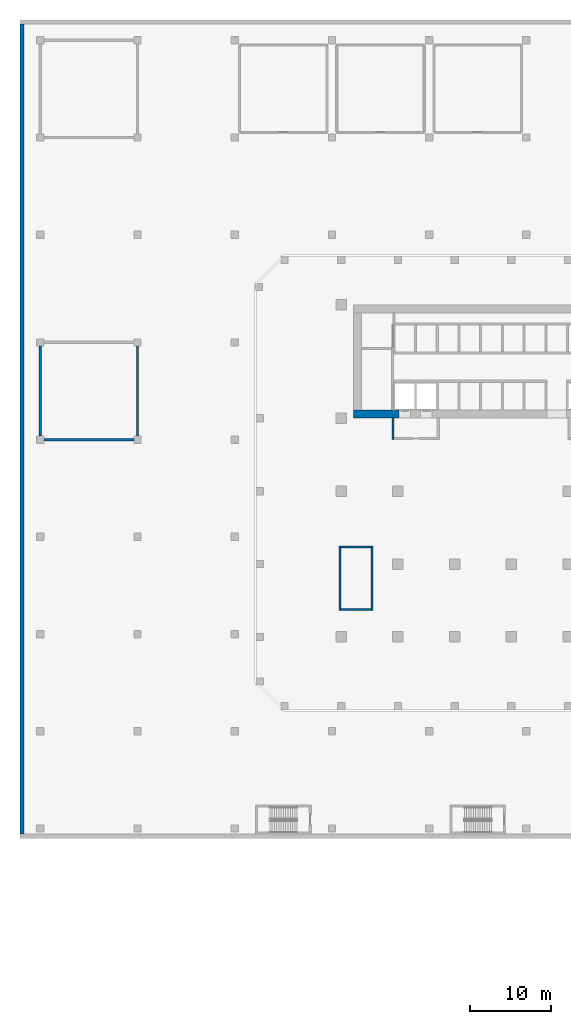
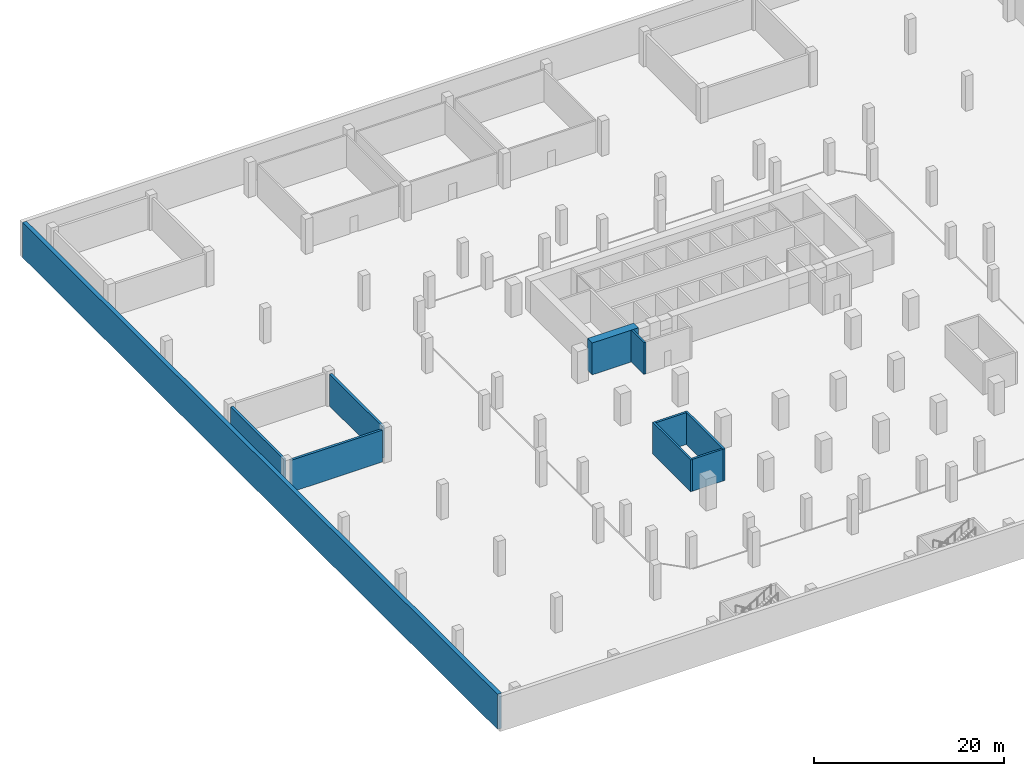
# One storey, part 3 of 11: 10 walls.
"""IFC4 building model written with IfcOpenShell, lengths in metres."""

from ifc_helpers import new_model, si_unit, direction, frame, frame_2d, origin, place, context, subcontext, project, spatial, rectangle, extrude, source, transform, mapped, material, layer, layer_set, type_object, element, save


model = new_model("IFC4")

# Units and contexts
model_context = context("Model", 3, precision=1e-05, world=origin(), true_north=direction((0.0, 1.0)))
body_context = subcontext(model_context, "Body", "Model", "MODEL_VIEW")
ifc_project = project(units=[si_unit("LENGTHUNIT", "METRE"), si_unit("AREAUNIT", "SQUARE_METRE"), si_unit("VOLUMEUNIT", "CUBIC_METRE"), si_unit("PLANEANGLEUNIT", "RADIAN"), si_unit("MASSUNIT", "GRAM", prefix="KILO")], contexts=[model_context])

# Site, building, storey
site_placement = place(None, origin())
site = spatial("IfcSite", under=ifc_project, at=site_placement, CompositionType="ELEMENT")
building_placement = place(site_placement, origin())
building = spatial("IfcBuilding", under=site, at=building_placement, Name="Kilnfold Tower and Market Hall", CompositionType="ELEMENT")
storey_placement = place(building_placement, frame((0.0, 0.0, -4.5)))
storey = spatial("IfcBuildingStorey", under=building, at=storey_placement, Name="B1", CompositionType="ELEMENT", Elevation=-4.5)

# Walls
ifc_material_1 = material(Name="Concrete C80", Category="concrete")
ifc_layer_1 = layer(ifc_material_1, 1.0)
ifc_layer_set_1 = layer_set([ifc_layer_1], Name="Concrete C80")
wall_type_1 = type_object("IfcWallType", Name="CORE WALL 1000 C80", PredefinedType="SHEAR", material=ifc_layer_set_1)
shared_shape_1 = source(origin(), body_context, "Body", "SweptSolid", [
    extrude(rectangle(XDim=5.6298828125, YDim=1.0, at=frame_2d((2.81494140625, 0.0))), origin(), (0.0, 0.0, 1.0), 4.090087890625),
])
wall_1_placement = place(storey_placement, frame((-16.0, 8.5, 0.0), z_axis=(0.0, 0.0, 1.0), x_axis=(1.0, 0.0, 0.0)))
element("IfcWall", 1, at=wall_1_placement, inside=storey, type_object=wall_type_1, Name="Core outer wall south", PredefinedType="SHEAR", context=body_context, shape_type="MappedRepresentation", body=[
    mapped(shared_shape_1, transform((0.0, 0.0, 0.0))),
])
ifc_material_2 = material(Name="Concrete C80", Category="concrete")
ifc_layer_2 = layer(ifc_material_2, 0.25)
ifc_layer_set_2 = layer_set([ifc_layer_2], Name="Concrete C80")
wall_type_2 = type_object("IfcWallType", Name="CORE WALL 250 C80", PredefinedType="SHEAR", material=ifc_layer_set_2)
shared_shape_2 = source(origin(), body_context, "Body", "SweptSolid", [
    extrude(rectangle(XDim=3.699951171875, YDim=0.25, at=frame_2d((1.85009765625, 0.0))), origin(), (0.0, 0.0, 1.0), 4.090087890625),
])
for number, where, z_axis, x_axis, name in (
    (2, (-17.5, -15.625, 0.0), (0.0, 0.0, 1.0), (1.0, 0.0, 0.0), "Stair enclosure ST3"),
    (3, (-17.5, -7.875, 0.0), (0.0, 0.0, 1.0), (1.0, 0.0, 0.0), "Stair enclosure ST3"),
):
    element("IfcWall", number, at=place(storey_placement, frame(where, z_axis=z_axis, x_axis=x_axis)), inside=storey, type_object=wall_type_2, Name=name, PredefinedType="SHEAR", context=body_context, shape_type="MappedRepresentation", body=[
        mapped(shared_shape_2, transform((0.0, 0.0, 0.0))),
    ])
shared_shape_3 = source(origin(), body_context, "Body", "SweptSolid", [
    extrude(rectangle(XDim=8.0, YDim=0.25, at=frame_2d((4.0, 0.0))), origin(), (0.0, 0.0, 1.0), 4.090087890625),
])
for number, where, z_axis, x_axis, name in (
    (4, (-17.625, -15.75, 0.0), (0.0, 0.0, 1.0), (0.0, 1.0, 0.0), "Stair enclosure ST3"),
    (5, (-13.675048828125, -15.75, 0.0), (0.0, 0.0, 1.0), (0.0, 1.0, 0.0), "Stair enclosure ST3"),
):
    element("IfcWall", number, at=place(storey_placement, frame(where, z_axis=z_axis, x_axis=x_axis)), inside=storey, type_object=wall_type_2, Name=name, PredefinedType="SHEAR", context=body_context, shape_type="MappedRepresentation", body=[
        mapped(shared_shape_3, transform((0.0, 0.0, 0.0))),
    ])
ifc_material_3 = material(Name="Concrete C50/60", Category="concrete")
ifc_layer_3 = layer(ifc_material_3, 0.300048828125)
ifc_layer_set_3 = layer_set([ifc_layer_3], Name="Concrete C50/60")
wall_type_3 = type_object("IfcWallType", Name="HALL CORE WALL 300", PredefinedType="SHEAR", material=ifc_layer_set_3)
shared_shape_4 = source(origin(), body_context, "Body", "SweptSolid", [
    extrude(rectangle(XDim=11.099853515625, YDim=0.300048828125, at=frame_2d((5.5498046875, 0.0))), origin(), (0.0, 0.0, 1.0), 4.090087890625),
])
for number, where, z_axis, x_axis, name in (
    (6, (-54.199951171875, 5.35009765625, 0.0), (0.0, 0.0, 1.0), (1.0, 0.0, 0.0), "Core wall MH1"),
    (7, (-54.64990234375, 5.800048828125, 0.0), (0.0, 0.0, 1.0), (0.0, 1.0, 0.0), "Core wall MH1"),
    (8, (-42.64990234375, 5.800048828125, 0.0), (0.0, 0.0, 1.0), (0.0, 1.0, 0.0), "Core wall MH1"),
):
    element("IfcWall", number, at=place(storey_placement, frame(where, z_axis=z_axis, x_axis=x_axis)), inside=storey, type_object=wall_type_3, Name=name, PredefinedType="SHEAR", context=body_context, shape_type="MappedRepresentation", body=[
        mapped(shared_shape_4, transform((0.0, 0.0, 0.0))),
    ])
ifc_material_4 = material(Name="Concrete C40/50", Category="concrete")
ifc_layer_4 = layer(ifc_material_4, 0.5)
ifc_layer_set_4 = layer_set([ifc_layer_4], Name="Concrete C40/50")
wall_type_4 = type_object("IfcWallType", Name="BASEMENT RETAINING WALL 500", PredefinedType="SOLIDWALL", material=ifc_layer_set_4)
shared_shape_5 = source(origin(), body_context, "Body", "SweptSolid", [
    extrude(rectangle(XDim=100.0, YDim=0.5, at=frame_2d((50.0, 0.0))), origin(), (0.0, 0.0, 1.0), 4.5),
])
wall_2_placement = place(storey_placement, frame((-56.89990234375, -43.35009765625, 0.0), z_axis=(0.0, 0.0, 1.0), x_axis=(0.0, 1.0, 0.0)))
element("IfcWall", 9, at=wall_2_placement, inside=storey, type_object=wall_type_4, Name="Retaining wall B1 west", PredefinedType="SOLIDWALL", context=body_context, shape_type="MappedRepresentation", body=[
    mapped(shared_shape_5, transform((0.0, 0.0, 0.0))),
])
ifc_material_5 = material(Name="Gypsum shaft wall system")
ifc_layer_5 = layer(ifc_material_5, 0.25)
ifc_layer_set_5 = layer_set([ifc_layer_5], Name="Gypsum shaft wall system")
wall_type_5 = type_object("IfcWallType", Name="LOBBY WALL 250", PredefinedType="PARTITIONING", material=ifc_layer_set_5)
shared_shape_6 = source(origin(), body_context, "Body", "SweptSolid", [
    extrude(rectangle(XDim=2.64990234375, YDim=0.25, at=frame_2d((1.324951171875, 0.0))), origin(), (0.0, 0.0, 1.0), 4.090087890625),
])
wall_3_placement = place(storey_placement, frame((-11.135009765625, 5.35009765625, 0.0), z_axis=(0.0, 0.0, 1.0), x_axis=(0.0, 1.0, 0.0)))
element("IfcWall", 10, at=wall_3_placement, inside=storey, type_object=wall_type_5, Name="Firefighting lobby wall", PredefinedType="PARTITIONING", context=body_context, shape_type="MappedRepresentation", body=[
    mapped(shared_shape_6, transform((0.0, 0.0, 0.0))),
])

save(model, "model.ifc")
